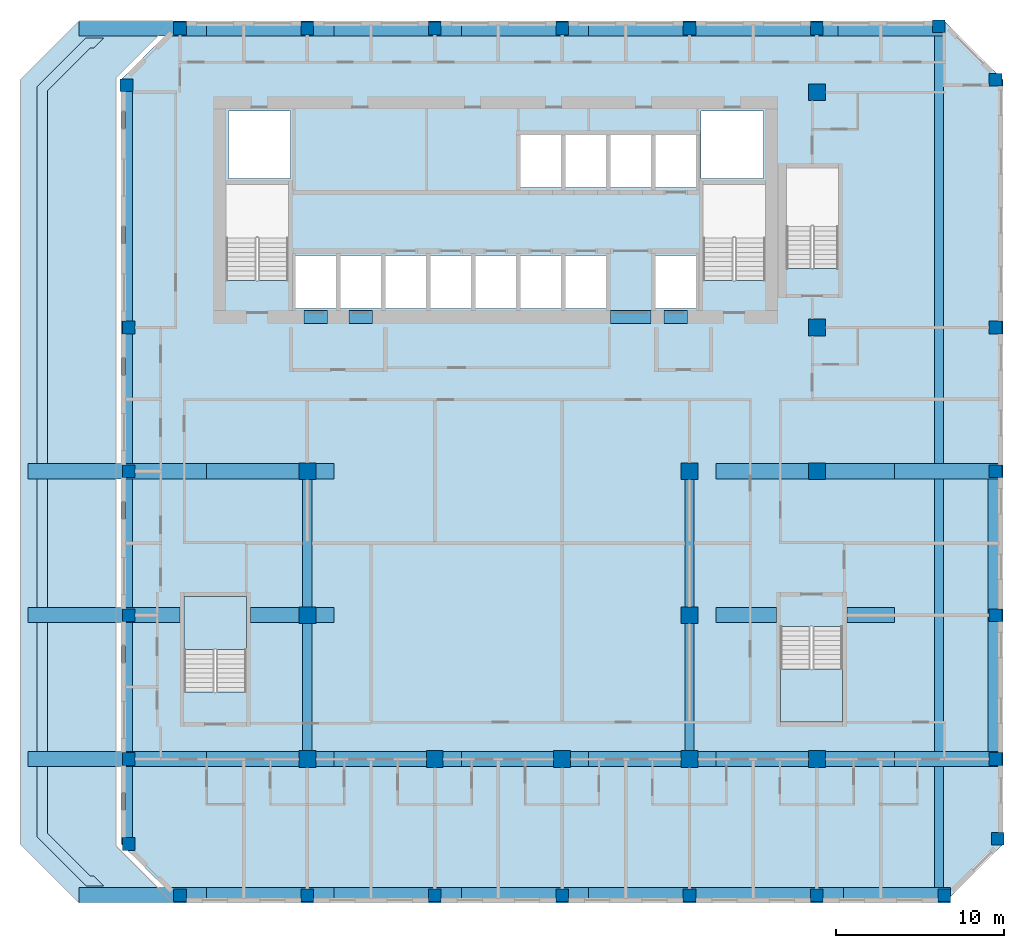
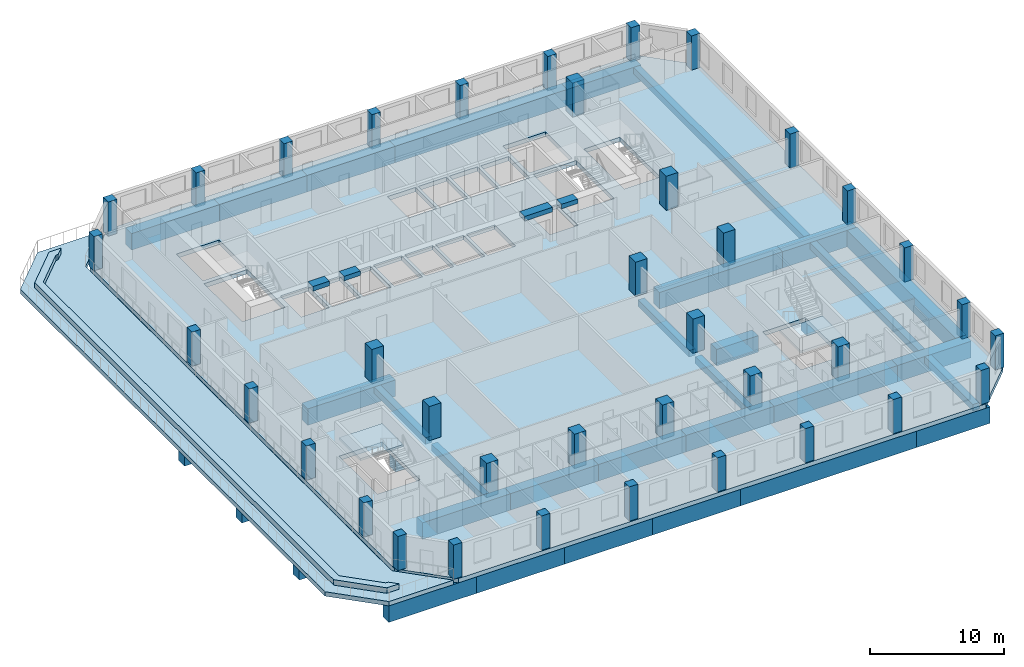
# One storey, part 1 of 16: 42 beams, 38 columns, 5 slabs, 2 elements without a shape of their own.
"""IFC4 building model written with IfcOpenShell, lengths in metres."""

from ifc_helpers import new_model, si_unit, direction, frame, origin, origin_2d, place, context, subcontext, project, spatial, polyline, rectangle, outline, extrude, source, transform, mapped, material, layer, layer_set, material_profile, profile_set, type_object, element, aggregate, save


model = new_model("IFC4")

# Units and contexts
model_context = context("Model", 3, precision=1e-05, world=origin(), true_north=direction((0.0, 1.0)))
body_context = subcontext(model_context, "Body", "Model", "MODEL_VIEW")
ifc_project = project(units=[si_unit("LENGTHUNIT", "METRE"), si_unit("AREAUNIT", "SQUARE_METRE"), si_unit("VOLUMEUNIT", "CUBIC_METRE"), si_unit("PLANEANGLEUNIT", "RADIAN"), si_unit("MASSUNIT", "GRAM", prefix="KILO")], contexts=[model_context])

# Site, building, storey
site_placement = place(None, origin())
site = spatial("IfcSite", under=ifc_project, at=site_placement, CompositionType="ELEMENT")
building_placement = place(site_placement, origin())
building = spatial("IfcBuilding", under=site, at=building_placement, Name="Kilnfold Tower and Market Hall", CompositionType="ELEMENT")
storey_placement = place(building_placement, frame((0.0, 0.0, 199.89990234375)))
storey = spatial("IfcBuildingStorey", under=building, at=storey_placement, Name="L48", CompositionType="ELEMENT", Elevation=199.89990234375)

# Columns
ifc_material_1 = material(Name="Concrete C70", Category="concrete")
ifc_material_profile_1 = material_profile(ifc_material_1, rectangle(XDim=0.75, YDim=0.75, at=origin_2d()), Name="RC 750x750")
ifc_profile_set_1 = profile_set([ifc_material_profile_1], Name="Concrete C70")
column_type_1 = type_object("IfcColumnType", Name="COLUMN 750X750 C70", PredefinedType="COLUMN", material=ifc_profile_set_1)
shared_shape_1 = source(origin(), body_context, "Body", "SweptSolid", [
    extrude(rectangle(XDim=0.75, YDim=0.75, at=origin_2d()), origin(), (0.0, 0.0, 1.0), 3.1201171875),
])
for number, where, z_axis, x_axis, name in (
    (1, (-20.931884765625, 22.431884765625, 0.0), (0.0, 0.0, 1.0), (1.0, 0.0, 0.0), "Column C-B6-1H"),
    (2, (-20.800048828125, -22.75, 0.0), (0.0, 0.0, 1.0), (1.0, 0.0, 0.0), "Column C-B6-1B"),
    (3, (-20.800048828125, -17.6875, 0.0), (0.0, 0.0, 1.0), (1.0, 0.0, 0.0), "Column C-B6-1C"),
    (4, (-20.800048828125, -9.125, 0.0), (0.0, 0.0, 1.0), (1.0, 0.0, 0.0), "Column C-B6-1D"),
    (5, (-20.800048828125, -0.5625, 0.0), (0.0, 0.0, 1.0), (1.0, 0.0, 0.0), "Column C-B6-1E"),
    (6, (-20.800048828125, 8.0, 0.0), (0.0, 0.0, 1.0), (1.0, 0.0, 0.0), "Column C-B6-1F"),
    (7, (-17.75, -25.800048828125, 0.0), (0.0, 0.0, 1.0), (1.0, 0.0, 0.0), "Column C-B6-2A"),
    (8, (-17.75, 25.800048828125, 0.0), (0.0, 0.0, 1.0), (1.0, 0.0, 0.0), "Column C-B6-2I"),
    (9, (-10.166748046875, -25.800048828125, 0.0), (0.0, 0.0, 1.0), (1.0, 0.0, 0.0), "Column C-B6-3A"),
    (10, (-10.166748046875, 25.800048828125, 0.0), (0.0, 0.0, 1.0), (1.0, 0.0, 0.0), "Column C-B6-3I"),
    (11, (-2.583251953125, -25.800048828125, 0.0), (0.0, 0.0, 1.0), (1.0, 0.0, 0.0), "Column C-B6-4A"),
    (12, (-2.583251953125, 25.800048828125, 0.0), (0.0, 0.0, 1.0), (1.0, 0.0, 0.0), "Column C-B6-4I"),
    (13, (5.0, -25.800048828125, 0.0), (0.0, 0.0, 1.0), (1.0, 0.0, 0.0), "Column C-B6-5A"),
    (14, (5.0, 25.800048828125, 0.0), (0.0, 0.0, 1.0), (1.0, 0.0, 0.0), "Column C-B6-5I"),
    (15, (12.583251953125, -25.800048828125, 0.0), (0.0, 0.0, 1.0), (1.0, 0.0, 0.0), "Column C-B6-6A"),
    (16, (12.583251953125, 25.800048828125, 0.0), (0.0, 0.0, 1.0), (1.0, 0.0, 0.0), "Column C-B6-6I"),
    (17, (20.166748046875, -25.800048828125, 0.0), (0.0, 0.0, 1.0), (1.0, 0.0, 0.0), "Column C-B6-7A"),
    (18, (20.166748046875, 25.800048828125, 0.0), (0.0, 0.0, 1.0), (1.0, 0.0, 0.0), "Column C-B6-7I"),
    (19, (27.431884765625, 25.931884765625, 0.0), (0.0, 0.0, 1.0), (1.0, 0.0, 0.0), "Column C-B6-8I"),
    (20, (27.75, -25.800048828125, 0.0), (0.0, 0.0, 1.0), (1.0, 0.0, 0.0), "Column C-B6-8A"),
    (21, (30.800048828125, -17.6875, 0.0), (0.0, 0.0, 1.0), (1.0, 0.0, 0.0), "Column C-B6-9C"),
    (22, (30.800048828125, -9.125, 0.0), (0.0, 0.0, 1.0), (1.0, 0.0, 0.0), "Column C-B6-9D"),
    (23, (30.800048828125, -0.5625, 0.0), (0.0, 0.0, 1.0), (1.0, 0.0, 0.0), "Column C-B6-9E"),
    (24, (30.800048828125, 8.0, 0.0), (0.0, 0.0, 1.0), (1.0, 0.0, 0.0), "Column C-B6-9F"),
    (25, (30.800048828125, 22.75, 0.0), (0.0, 0.0, 1.0), (1.0, 0.0, 0.0), "Column C-B6-9H"),
    (26, (30.931884765625, -22.431884765625, 0.0), (0.0, 0.0, 1.0), (1.0, 0.0, 0.0), "Column C-B6-9B"),
):
    element("IfcColumn", number, at=place(storey_placement, frame(where, z_axis=z_axis, x_axis=x_axis)), inside=storey, type_object=column_type_1, Name=name, PredefinedType="COLUMN", context=body_context, shape_type="MappedRepresentation", body=[
        mapped(shared_shape_1, transform((0.0, 0.0, 0.0))),
    ])
ifc_material_2 = material(Name="Concrete C70", Category="concrete")
ifc_material_profile_2 = material_profile(ifc_material_2, rectangle(XDim=1.0, YDim=1.0, at=origin_2d()), Name="RC 1000x1000")
ifc_profile_set_2 = profile_set([ifc_material_profile_2], Name="Concrete C70")
column_type_2 = type_object("IfcColumnType", Name="COLUMN 1000X1000 C70", PredefinedType="COLUMN", material=ifc_profile_set_2)
shared_shape_2 = source(origin(), body_context, "Body", "SweptSolid", [
    extrude(rectangle(XDim=1.0, YDim=1.0, at=origin_2d()), origin(), (0.0, 0.0, 1.0), 3.1201171875),
])
for number, where, z_axis, x_axis, name in (
    (27, (-10.166748046875, -17.6875, 0.0), (0.0, 0.0, 1.0), (1.0, 0.0, 0.0), "Column C-B6-3C"),
    (28, (-10.166748046875, -9.125, 0.0), (0.0, 0.0, 1.0), (1.0, 0.0, 0.0), "Column C-B6-3D"),
    (29, (-10.166748046875, -0.5625, 0.0), (0.0, 0.0, 1.0), (1.0, 0.0, 0.0), "Column C-B6-3E"),
    (30, (-2.583251953125, -17.6875, 0.0), (0.0, 0.0, 1.0), (1.0, 0.0, 0.0), "Column C-B6-4C"),
    (31, (5.0, -17.6875, 0.0), (0.0, 0.0, 1.0), (1.0, 0.0, 0.0), "Column C-B6-5C"),
    (32, (12.583251953125, -17.6875, 0.0), (0.0, 0.0, 1.0), (1.0, 0.0, 0.0), "Column C-B6-6C"),
    (33, (12.583251953125, -9.125, 0.0), (0.0, 0.0, 1.0), (1.0, 0.0, 0.0), "Column C-B6-6D"),
    (34, (12.583251953125, -0.5625, 0.0), (0.0, 0.0, 1.0), (1.0, 0.0, 0.0), "Column C-B6-6E"),
    (35, (20.166748046875, -17.6875, 0.0), (0.0, 0.0, 1.0), (1.0, 0.0, 0.0), "Column C-B6-7C"),
    (36, (20.166748046875, -0.5625, 0.0), (0.0, 0.0, 1.0), (1.0, 0.0, 0.0), "Column C-B6-7E"),
    (37, (20.166748046875, 8.0, 0.0), (0.0, 0.0, 1.0), (1.0, 0.0, 0.0), "Column C-B6-7F"),
    (38, (20.166748046875, 22.0, 0.0), (0.0, 0.0, 1.0), (1.0, 0.0, 0.0), "Column C-B6-7G"),
):
    element("IfcColumn", number, at=place(storey_placement, frame(where, z_axis=z_axis, x_axis=x_axis)), inside=storey, type_object=column_type_2, Name=name, PredefinedType="COLUMN", context=body_context, shape_type="MappedRepresentation", body=[
        mapped(shared_shape_2, transform((0.0, 0.0, 0.0))),
    ])

# Beams
ifc_material_3 = material(Name="Concrete C45", Category="concrete")
ifc_material_profile_3 = material_profile(ifc_material_3, rectangle(XDim=0.550048828125, YDim=0.60009765625, at=origin_2d()), Name="RC 550x600")
ifc_profile_set_3 = profile_set([ifc_material_profile_3], Name="Concrete C45")
beam_type_1 = type_object("IfcBeamType", Name="BEAM 550X600 C45", PredefinedType="BEAM", material=ifc_profile_set_3)
shared_shape_3 = source(origin(), body_context, "Body", "SweptSolid", [
    extrude(rectangle(XDim=0.550048828125, YDim=0.60009765625, at=origin_2d()), origin(), (0.0, 0.0, 1.0), 50.7001953125),
])
beam_1_placement = place(storey_placement, frame((27.429931640625, -25.35009765625, -0.699951171875), z_axis=(0.0, 1.0, 0.0), x_axis=(-1.0, 0.0, 0.0)))
element("IfcBeam", 39, at=beam_1_placement, inside=storey, type_object=beam_type_1, Name="Beam BB600-B6.38", PredefinedType="BEAM", context=body_context, shape_type="MappedRepresentation", body=[
    mapped(shared_shape_3, transform((0.0, 0.0, 0.0))),
])
ifc_material_4 = material(Name="Concrete C60", Category="concrete")
ifc_material_profile_4 = material_profile(ifc_material_4, rectangle(XDim=0.75, YDim=0.419921875, at=origin_2d()), Name="RC 750x420")
ifc_profile_set_4 = profile_set([ifc_material_profile_4], Name="Concrete C60")
beam_type_2 = type_object("IfcBeamType", Name="COUPLING BEAM 750X420 C60", PredefinedType="BEAM", material=ifc_profile_set_4)
shared_shape_4 = source(origin(), body_context, "Body", "SweptSolid", [
    extrude(rectangle(XDim=0.75, YDim=0.419921875, at=origin_2d()), origin(), (0.0, 0.0, 1.0), 1.400146484375),
])
beam_2_placement = place(storey_placement, frame((-10.3701171875, 8.625, 2.91015625), z_axis=(1.0, 0.0, 0.0), x_axis=(0.0, 1.0, 0.0)))
element("IfcBeam", 40, at=beam_2_placement, inside=storey, type_object=beam_type_2, Name="Coupling beam CB420-60-CORE.37", PredefinedType="BEAM", context=body_context, shape_type="MappedRepresentation", body=[
    mapped(shared_shape_4, transform((0.0, 0.0, 0.0))),
])
shared_shape_5 = source(origin(), body_context, "Body", "SweptSolid", [
    extrude(rectangle(XDim=0.75, YDim=0.419921875, at=origin_2d()), origin(), (0.0, 0.0, 1.0), 1.39990234375),
])
for number, where, z_axis, x_axis, name in (
    (41, (-7.68994140625, 8.625, 2.91015625), (1.0, 0.0, 0.0), (0.0, 1.0, 0.0), "Coupling beam CB420-60-CORE.38"),
    (42, (11.070068359375, 8.625, 2.91015625), (1.0, 0.0, 0.0), (0.0, 1.0, 0.0), "Coupling beam CB420-60-CORE.40"),
):
    element("IfcBeam", number, at=place(storey_placement, frame(where, z_axis=z_axis, x_axis=x_axis)), inside=storey, type_object=beam_type_2, Name=name, PredefinedType="BEAM", context=body_context, shape_type="MappedRepresentation", body=[
        mapped(shared_shape_5, transform((0.0, 0.0, 0.0))),
    ])
shared_shape_6 = source(origin(), body_context, "Body", "SweptSolid", [
    extrude(rectangle(XDim=0.75, YDim=0.419921875, at=origin_2d()), origin(), (0.0, 0.0, 1.0), 2.400146484375),
])
beam_3_placement = place(storey_placement, frame((7.889892578125, 8.625, 2.91015625), z_axis=(1.0, 0.0, 0.0), x_axis=(0.0, 1.0, 0.0)))
element("IfcBeam", 43, at=beam_3_placement, inside=storey, type_object=beam_type_2, Name="Coupling beam CB420-60-CORE.39", PredefinedType="BEAM", context=body_context, shape_type="MappedRepresentation", body=[
    mapped(shared_shape_6, transform((0.0, 0.0, 0.0))),
])
ifc_material_5 = material(Name="Concrete C60", Category="concrete")
ifc_material_profile_5 = material_profile(ifc_material_5, rectangle(XDim=0.89990234375, YDim=1.5, at=origin_2d()), Name="RC 900x1500")
ifc_profile_set_5 = profile_set([ifc_material_profile_5], Name="Concrete C60")
beam_type_3 = type_object("IfcBeamType", Name="TRANSFER GIRDER 900X1500 C60", PredefinedType="BEAM", material=ifc_profile_set_5)
shared_shape_7 = source(origin(), body_context, "Body", "SweptSolid", [
    extrude(rectangle(XDim=0.89990234375, YDim=1.5, at=origin_2d()), origin(), (0.0, 0.0, 1.0), 10.63330078125),
])
for number, where, z_axis, x_axis, name in (
    (44, (-26.800048828125, -17.68994140625, -1.14990234375), (1.0, 0.0, 0.0), (0.0, 1.0, 0.0), "Beam TG1500-B6.1"),
    (45, (-26.800048828125, -0.56005859375, -1.14990234375), (1.0, 0.0, 0.0), (0.0, 1.0, 0.0), "Beam TG1500-B6.3"),
    (46, (14.166748046875, -17.68994140625, -1.14990234375), (1.0, 0.0, 0.0), (0.0, 1.0, 0.0), "Beam TG1500-B6.20"),
    (47, (14.166748046875, -0.56005859375, -1.14990234375), (1.0, 0.0, 0.0), (0.0, 1.0, 0.0), "Beam TG1500-B6.22"),
):
    element("IfcBeam", number, at=place(storey_placement, frame(where, z_axis=z_axis, x_axis=x_axis)), inside=storey, type_object=beam_type_3, Name=name, PredefinedType="BEAM", context=body_context, shape_type="MappedRepresentation", body=[
        mapped(shared_shape_7, transform((0.0, 0.0, 0.0))),
    ])
shared_shape_8 = source(origin(), body_context, "Body", "SweptSolid", [
    extrude(rectangle(XDim=0.89990234375, YDim=1.5, at=origin_2d()), origin(), (0.0, 0.0, 1.0), 9.050048828125),
])
beam_4_placement = place(storey_placement, frame((-26.800048828125, -9.1201171875, -1.14990234375), z_axis=(1.0, 0.0, 0.0), x_axis=(0.0, 1.0, 0.0)))
element("IfcBeam", 48, at=beam_4_placement, inside=storey, type_object=beam_type_3, Name="Beam TG1500-B6.2", PredefinedType="BEAM", context=body_context, shape_type="MappedRepresentation", body=[
    mapped(shared_shape_8, transform((0.0, 0.0, 0.0))),
])
shared_shape_9 = source(origin(), body_context, "Body", "SweptSolid", [
    extrude(rectangle(XDim=0.89990234375, YDim=1.5, at=origin_2d()), origin(), (0.0, 0.0, 1.0), 7.583251953125),
])
for number, where, z_axis, x_axis, name in (
    (49, (-23.75, -25.800048828125, -1.14990234375), (1.0, 0.0, 0.0), (0.0, 1.0, 0.0), "Beam TG1500-B6.4"),
    (50, (-23.75, 25.800048828125, -1.14990234375), (1.0, 0.0, 0.0), (0.0, 1.0, 0.0), "Beam TG1500-B6.5"),
    (51, (-8.583251953125, -25.800048828125, -1.14990234375), (1.0, 0.0, 0.0), (0.0, 1.0, 0.0), "Beam TG1500-B6.11"),
    (52, (-8.583251953125, -17.68994140625, -1.14990234375), (1.0, 0.0, 0.0), (0.0, 1.0, 0.0), "Beam TG1500-B6.12"),
    (53, (-8.583251953125, 25.800048828125, -1.14990234375), (1.0, 0.0, 0.0), (0.0, 1.0, 0.0), "Beam TG1500-B6.13"),
    (54, (-1.0, -25.800048828125, -1.14990234375), (1.0, 0.0, 0.0), (0.0, 1.0, 0.0), "Beam TG1500-B6.14"),
    (55, (-1.0, -17.68994140625, -1.14990234375), (1.0, 0.0, 0.0), (0.0, 1.0, 0.0), "Beam TG1500-B6.15"),
    (56, (-1.0, 25.800048828125, -1.14990234375), (1.0, 0.0, 0.0), (0.0, 1.0, 0.0), "Beam TG1500-B6.16"),
):
    element("IfcBeam", number, at=place(storey_placement, frame(where, z_axis=z_axis, x_axis=x_axis)), inside=storey, type_object=beam_type_3, Name=name, PredefinedType="BEAM", context=body_context, shape_type="MappedRepresentation", body=[
        mapped(shared_shape_9, transform((0.0, 0.0, 0.0))),
    ])
shared_shape_10 = source(origin(), body_context, "Body", "SweptSolid", [
    extrude(rectangle(XDim=0.89990234375, YDim=1.5, at=origin_2d()), origin(), (0.0, 0.0, 1.0), 7.58349609375),
])
for number, where, z_axis, x_axis, name in (
    (57, (-16.166748046875, -25.800048828125, -1.14990234375), (1.0, 0.0, 0.0), (0.0, 1.0, 0.0), "Beam TG1500-B6.6"),
    (58, (-16.166748046875, -17.68994140625, -1.14990234375), (1.0, 0.0, 0.0), (0.0, 1.0, 0.0), "Beam TG1500-B6.7"),
    (59, (-16.166748046875, -0.56005859375, -1.14990234375), (1.0, 0.0, 0.0), (0.0, 1.0, 0.0), "Beam TG1500-B6.8"),
    (60, (-16.166748046875, 25.800048828125, -1.14990234375), (1.0, 0.0, 0.0), (0.0, 1.0, 0.0), "Beam TG1500-B6.9"),
    (61, (6.583251953125, -17.68994140625, -1.14990234375), (1.0, 0.0, 0.0), (0.0, 1.0, 0.0), "Beam TG1500-B6.18"),
):
    element("IfcBeam", number, at=place(storey_placement, frame(where, z_axis=z_axis, x_axis=x_axis)), inside=storey, type_object=beam_type_3, Name=name, PredefinedType="BEAM", context=body_context, shape_type="MappedRepresentation", body=[
        mapped(shared_shape_10, transform((0.0, 0.0, 0.0))),
    ])
shared_shape_11 = source(origin(), body_context, "Body", "SweptSolid", [
    extrude(rectangle(XDim=0.89990234375, YDim=1.5, at=origin_2d()), origin(), (0.0, 0.0, 1.0), 4.966796875),
])
beam_5_placement = place(storey_placement, frame((-13.550048828125, -9.1201171875, -1.14990234375), z_axis=(1.0, 0.0, 0.0), x_axis=(0.0, 1.0, 0.0)))
element("IfcBeam", 62, at=beam_5_placement, inside=storey, type_object=beam_type_3, Name="Beam TG1500-B6.10", PredefinedType="BEAM", context=body_context, shape_type="MappedRepresentation", body=[
    mapped(shared_shape_11, transform((0.0, 0.0, 0.0))),
])
shared_shape_12 = source(origin(), body_context, "Body", "SweptSolid", [
    extrude(rectangle(XDim=0.89990234375, YDim=1.5, at=origin_2d()), origin(), (0.0, 0.0, 1.0), 15.166748046875),
])
beam_6_placement = place(storey_placement, frame((6.583251953125, -25.800048828125, -1.14990234375), z_axis=(1.0, 0.0, 0.0), x_axis=(0.0, 1.0, 0.0)))
element("IfcBeam", 63, at=beam_6_placement, inside=storey, type_object=beam_type_3, Name="Beam TG1500-B6.17", PredefinedType="BEAM", context=body_context, shape_type="MappedRepresentation", body=[
    mapped(shared_shape_12, transform((0.0, 0.0, 0.0))),
])
shared_shape_13 = source(origin(), body_context, "Body", "SweptSolid", [
    extrude(rectangle(XDim=0.89990234375, YDim=1.5, at=origin_2d()), origin(), (0.0, 0.0, 1.0), 14.8486328125),
])
beam_7_placement = place(storey_placement, frame((6.583251953125, 25.800048828125, -1.14990234375), z_axis=(1.0, 0.0, 0.0), x_axis=(0.0, 1.0, 0.0)))
element("IfcBeam", 64, at=beam_7_placement, inside=storey, type_object=beam_type_3, Name="Beam TG1500-B6.19", PredefinedType="BEAM", context=body_context, shape_type="MappedRepresentation", body=[
    mapped(shared_shape_13, transform((0.0, 0.0, 0.0))),
])
shared_shape_14 = source(origin(), body_context, "Body", "SweptSolid", [
    extrude(rectangle(XDim=0.89990234375, YDim=1.5, at=origin_2d()), origin(), (0.0, 0.0, 1.0), 3.583251953125),
])
beam_8_placement = place(storey_placement, frame((14.166748046875, -9.1201171875, -1.14990234375), z_axis=(1.0, 0.0, 0.0), x_axis=(0.0, 1.0, 0.0)))
element("IfcBeam", 65, at=beam_8_placement, inside=storey, type_object=beam_type_3, Name="Beam TG1500-B6.21", PredefinedType="BEAM", context=body_context, shape_type="MappedRepresentation", body=[
    mapped(shared_shape_14, transform((0.0, 0.0, 0.0))),
])
shared_shape_15 = source(origin(), body_context, "Body", "SweptSolid", [
    extrude(rectangle(XDim=0.89990234375, YDim=1.5, at=origin_2d()), origin(), (0.0, 0.0, 1.0), 6.375),
])
for number, where, z_axis, x_axis, name in (
    (66, (21.431884765625, 25.800048828125, -1.14990234375), (1.0, 0.0, 0.0), (0.0, 1.0, 0.0), "Beam TG1500-B6.23"),
    (67, (21.75, -25.800048828125, -1.14990234375), (1.0, 0.0, 0.0), (0.0, 1.0, 0.0), "Beam TG1500-B6.24"),
    (68, (24.800048828125, -17.68994140625, -1.14990234375), (1.0, 0.0, 0.0), (0.0, 1.0, 0.0), "Beam TG1500-B6.26"),
    (69, (24.800048828125, -0.56005859375, -1.14990234375), (1.0, 0.0, 0.0), (0.0, 1.0, 0.0), "Beam TG1500-B6.27"),
):
    element("IfcBeam", number, at=place(storey_placement, frame(where, z_axis=z_axis, x_axis=x_axis)), inside=storey, type_object=beam_type_3, Name=name, PredefinedType="BEAM", context=body_context, shape_type="MappedRepresentation", body=[
        mapped(shared_shape_15, transform((0.0, 0.0, 0.0))),
    ])
shared_shape_16 = source(origin(), body_context, "Body", "SweptSolid", [
    extrude(rectangle(XDim=0.89990234375, YDim=1.5, at=origin_2d()), origin(), (0.0, 0.0, 1.0), 2.85009765625),
])
beam_9_placement = place(storey_placement, frame((21.949951171875, -9.1201171875, -1.14990234375), z_axis=(1.0, 0.0, 0.0), x_axis=(0.0, 1.0, 0.0)))
element("IfcBeam", 70, at=beam_9_placement, inside=storey, type_object=beam_type_3, Name="Beam TG1500-B6.25", PredefinedType="BEAM", context=body_context, shape_type="MappedRepresentation", body=[
    mapped(shared_shape_16, transform((0.0, 0.0, 0.0))),
])
shared_shape_17 = source(origin(), body_context, "Body", "SweptSolid", [
    extrude(rectangle(XDim=0.89990234375, YDim=1.5, at=origin_2d()), origin(), (0.0, 0.0, 1.0), 16.22998046875),
])
beam_10_placement = place(storey_placement, frame((30.800048828125, -17.239990234375, -1.14990234375), z_axis=(0.0, 1.0, 0.0), x_axis=(-1.0, 0.0, 0.0)))
element("IfcBeam", 71, at=beam_10_placement, inside=storey, type_object=beam_type_3, Name="Beam TG1500-B6.28", PredefinedType="BEAM", context=body_context, shape_type="MappedRepresentation", body=[
    mapped(shared_shape_17, transform((0.0, 0.0, 0.0))),
])
ifc_material_6 = material(Name="Concrete C45", Category="concrete")
ifc_material_profile_6 = material_profile(ifc_material_6, rectangle(XDim=0.449951171875, YDim=0.60009765625, at=origin_2d()), Name="RC 450x600")
ifc_profile_set_6 = profile_set([ifc_material_profile_6], Name="Concrete C45")
beam_type_4 = type_object("IfcBeamType", Name="EDGE BEAM 450X600 C45", PredefinedType="BEAM", material=ifc_profile_set_6)
shared_shape_18 = source(origin(), body_context, "Body", "SweptSolid", [
    extrude(rectangle(XDim=0.449951171875, YDim=0.60009765625, at=origin_2d()), origin(), (0.0, 0.0, 1.0), 4.235107421875),
])
beam_11_placement = place(storey_placement, frame((-20.800048828125, -22.375, -0.699951171875), z_axis=(0.0, 1.0, 0.0), x_axis=(-1.0, 0.0, 0.0)))
element("IfcBeam", 72, at=beam_11_placement, inside=storey, type_object=beam_type_4, Name="Beam EB600-B6.29", PredefinedType="BEAM", context=body_context, shape_type="MappedRepresentation", body=[
    mapped(shared_shape_18, transform((0.0, 0.0, 0.0))),
])
shared_shape_19 = source(origin(), body_context, "Body", "SweptSolid", [
    extrude(rectangle(XDim=0.449951171875, YDim=0.60009765625, at=origin_2d()), origin(), (0.0, 0.0, 1.0), 7.669921875),
])
beam_12_placement = place(storey_placement, frame((-20.800048828125, -17.239990234375, -0.699951171875), z_axis=(0.0, 1.0, 0.0), x_axis=(-1.0, 0.0, 0.0)))
element("IfcBeam", 73, at=beam_12_placement, inside=storey, type_object=beam_type_4, Name="Beam EB600-B6.30", PredefinedType="BEAM", context=body_context, shape_type="MappedRepresentation", body=[
    mapped(shared_shape_19, transform((0.0, 0.0, 0.0))),
])
shared_shape_20 = source(origin(), body_context, "Body", "SweptSolid", [
    extrude(rectangle(XDim=0.449951171875, YDim=0.60009765625, at=origin_2d()), origin(), (0.0, 0.0, 1.0), 7.659912109375),
])
beam_13_placement = place(storey_placement, frame((-20.800048828125, -8.669921875, -0.699951171875), z_axis=(0.0, 1.0, 0.0), x_axis=(-1.0, 0.0, 0.0)))
element("IfcBeam", 74, at=beam_13_placement, inside=storey, type_object=beam_type_4, Name="Beam EB600-B6.31", PredefinedType="BEAM", context=body_context, shape_type="MappedRepresentation", body=[
    mapped(shared_shape_20, transform((0.0, 0.0, 0.0))),
])
shared_shape_21 = source(origin(), body_context, "Body", "SweptSolid", [
    extrude(rectangle(XDim=0.449951171875, YDim=0.60009765625, at=origin_2d()), origin(), (0.0, 0.0, 1.0), 7.735107421875),
])
beam_14_placement = place(storey_placement, frame((-20.800048828125, -0.110107421875, -0.699951171875), z_axis=(0.0, 1.0, 0.0), x_axis=(-1.0, 0.0, 0.0)))
element("IfcBeam", 75, at=beam_14_placement, inside=storey, type_object=beam_type_4, Name="Beam EB600-B6.32", PredefinedType="BEAM", context=body_context, shape_type="MappedRepresentation", body=[
    mapped(shared_shape_21, transform((0.0, 0.0, 0.0))),
])
shared_shape_22 = source(origin(), body_context, "Body", "SweptSolid", [
    extrude(rectangle(XDim=0.449951171875, YDim=0.60009765625, at=origin_2d()), origin(), (0.0, 0.0, 1.0), 13.681884765625),
])
beam_15_placement = place(storey_placement, frame((-20.800048828125, 8.375, -0.699951171875), z_axis=(0.0, 1.0, 0.0), x_axis=(-1.0, 0.0, 0.0)))
element("IfcBeam", 76, at=beam_15_placement, inside=storey, type_object=beam_type_4, Name="Beam EB600-B6.33", PredefinedType="BEAM", context=body_context, shape_type="MappedRepresentation", body=[
    mapped(shared_shape_22, transform((0.0, 0.0, 0.0))),
])
shared_shape_23 = source(origin(), body_context, "Body", "SweptSolid", [
    extrude(rectangle(XDim=0.550048828125, YDim=0.60009765625, at=origin_2d()), origin(), (0.0, 0.0, 1.0), 7.669921875),
])
for number, where, z_axis, x_axis, name in (
    (77, (-10.169921875, -17.239990234375, -0.699951171875), (0.0, 1.0, 0.0), (-1.0, 0.0, 0.0), "Beam BB600-B6.34"),
    (78, (12.580078125, -17.239990234375, -0.699951171875), (0.0, 1.0, 0.0), (-1.0, 0.0, 0.0), "Beam BB600-B6.36"),
):
    element("IfcBeam", number, at=place(storey_placement, frame(where, z_axis=z_axis, x_axis=x_axis)), inside=storey, type_object=beam_type_1, Name=name, PredefinedType="BEAM", context=body_context, shape_type="MappedRepresentation", body=[
        mapped(shared_shape_23, transform((0.0, 0.0, 0.0))),
    ])
shared_shape_24 = source(origin(), body_context, "Body", "SweptSolid", [
    extrude(rectangle(XDim=0.550048828125, YDim=0.60009765625, at=origin_2d()), origin(), (0.0, 0.0, 1.0), 7.659912109375),
])
for number, where, z_axis, x_axis, name in (
    (79, (-10.169921875, -8.669921875, -0.699951171875), (0.0, 1.0, 0.0), (-1.0, 0.0, 0.0), "Beam BB600-B6.35"),
    (80, (12.580078125, -8.669921875, -0.699951171875), (0.0, 1.0, 0.0), (-1.0, 0.0, 0.0), "Beam BB600-B6.37"),
):
    element("IfcBeam", number, at=place(storey_placement, frame(where, z_axis=z_axis, x_axis=x_axis)), inside=storey, type_object=beam_type_1, Name=name, PredefinedType="BEAM", context=body_context, shape_type="MappedRepresentation", body=[
        mapped(shared_shape_24, transform((0.0, 0.0, 0.0))),
    ])

# Slabs
ifc_material_7 = material(Name="Concrete C45", Category="concrete")
ifc_layer_1 = layer(ifc_material_7, 0.39990234375)
ifc_layer_set_1 = layer_set([ifc_layer_1], Name="Concrete C45")
slab_type_1 = type_object("IfcSlabType", Name="FLOOR SLAB 400", PredefinedType="FLOOR", material=ifc_layer_set_1)
shared_shape_25 = source(origin(), body_context, "Body", "SweptSolid", [
    extrude(outline(polyline([(-17.75, -26.25), (27.75, -26.25), (31.25, -22.75), (31.25, 22.75), (27.75, 26.25), (-17.75, 26.25), (-21.25, 22.75), (-21.25, -22.75), (-17.75, -26.25)]), holes=[polyline([(-13.800537109375, -13.699462890625), (-17.49951171875, -13.699462890625), (-17.49951171875, -8.00048828125), (-13.800537109375, -8.00048828125), (-13.800537109375, -13.699462890625)]), polyline([(-14.99951171875, 10.800537109375), (-14.99951171875, 16.49951171875), (-11.300537109375, 16.49951171875), (-11.300537109375, 10.800537109375), (-14.99951171875, 10.800537109375)]), polyline([(-11.175048828125, 16.875), (-14.875, 16.875), (-14.875, 20.875), (-11.175048828125, 20.875), (-11.175048828125, 16.875)]), polyline([(-8.455078125, 9.125), (-10.885009765625, 9.125), (-10.885009765625, 12.27490234375), (-8.455078125, 12.27490234375), (-8.455078125, 9.125)]), polyline([(-5.77490234375, 9.125), (-8.205078125, 9.125), (-8.205078125, 12.27490234375), (-5.77490234375, 12.27490234375), (-5.77490234375, 9.125)]), polyline([(-3.094970703125, 9.125), (-5.52490234375, 9.125), (-5.52490234375, 12.27490234375), (-3.094970703125, 12.27490234375), (-3.094970703125, 9.125)]), polyline([(-0.4150390625, 9.125), (-2.844970703125, 9.125), (-2.844970703125, 12.27490234375), (-0.4150390625, 12.27490234375), (-0.4150390625, 9.125)]), polyline([(2.264892578125, 9.125), (-0.1650390625, 9.125), (-0.1650390625, 12.27490234375), (2.264892578125, 12.27490234375), (2.264892578125, 9.125)]), polyline([(4.945068359375, 9.125), (2.514892578125, 9.125), (2.514892578125, 12.27490234375), (4.945068359375, 12.27490234375), (4.945068359375, 9.125)]), polyline([(2.514892578125, 16.324951171875), (2.514892578125, 19.47509765625), (4.945068359375, 19.47509765625), (4.945068359375, 16.324951171875), (2.514892578125, 16.324951171875)]), polyline([(7.625, 9.125), (5.195068359375, 9.125), (5.195068359375, 12.27490234375), (7.625, 12.27490234375), (7.625, 9.125)]), polyline([(7.625, 16.324951171875), (5.195068359375, 16.324951171875), (5.195068359375, 19.47509765625), (7.625, 19.47509765625), (7.625, 16.324951171875)]), polyline([(10.304931640625, 16.324951171875), (7.875, 16.324951171875), (7.875, 19.47509765625), (10.304931640625, 19.47509765625), (10.304931640625, 16.324951171875)]), polyline([(10.554931640625, 9.125), (10.554931640625, 12.27490234375), (12.985107421875, 12.27490234375), (12.985107421875, 9.125), (10.554931640625, 9.125)]), polyline([(10.554931640625, 16.324951171875), (10.554931640625, 19.47509765625), (12.985107421875, 19.47509765625), (12.985107421875, 16.324951171875), (10.554931640625, 16.324951171875)]), polyline([(13.27490234375, 16.875), (13.27490234375, 20.875), (16.97509765625, 20.875), (16.97509765625, 16.875), (13.27490234375, 16.875)]), polyline([(13.400390625, 10.800537109375), (13.400390625, 16.49951171875), (17.099609375, 16.49951171875), (17.099609375, 10.800537109375), (13.400390625, 10.800537109375)]), polyline([(18.00048828125, -9.800537109375), (21.699462890625, -9.800537109375), (21.699462890625, -15.49951171875), (18.00048828125, -15.49951171875), (18.00048828125, -9.800537109375)]), polyline([(21.449462890625, 11.50048828125), (18.3505859375, 11.50048828125), (18.3505859375, 17.49951171875), (21.449462890625, 17.49951171875), (21.449462890625, 11.50048828125)])]), origin(), (0.0, 0.0, 1.0), 0.400146484375),
])
slab_1_placement = place(storey_placement, frame((0.0, 0.0, -0.400146484375)))
element("IfcSlab", 81, at=slab_1_placement, inside=storey, type_object=slab_type_1, Name="Floor slab L48", PredefinedType="FLOOR", context=body_context, shape_type="MappedRepresentation", body=[
    mapped(shared_shape_25, transform((0.0, 0.0, 0.0))),
])
ifc_material_8 = material(Name="Concrete C40/50", Category="concrete")
ifc_layer_2 = layer(ifc_material_8, 0.39990234375)
ifc_layer_set_2 = layer_set([ifc_layer_2], Name="Concrete C40/50")
slab_type_2 = type_object("IfcSlabType", Name="TOWER TERRACE SLAB 400", PredefinedType="ROOF", material=ifc_layer_set_2)
shared_shape_26 = source(origin(), body_context, "Body", "SweptSolid", [
    extrude(outline(polyline([(-23.75, -26.25), (-27.25, -22.75), (-27.25, 22.75), (-23.75, 26.25), (-18.17431640625, 26.25), (-21.550048828125, 22.874267578125), (-21.550048828125, -22.874267578125), (-18.17431640625, -26.25), (-23.75, -26.25)])), origin(), (0.0, 0.0, 1.0), 0.39990234375),
])
slab_2_placement = place(storey_placement, frame((0.0, 0.0, -0.39990234375)))
element("IfcSlab", 82, at=slab_2_placement, inside=storey, type_object=slab_type_2, Name="Terrace slab L48 1", PredefinedType="ROOF", context=body_context, shape_type="MappedRepresentation", body=[
    mapped(shared_shape_26, transform((0.0, 0.0, 0.0))),
])
ifc_material_9 = material(Name="Concrete C40/50", Category="concrete")
ifc_layer_3 = layer(ifc_material_9, 0.5)
ifc_layer_set_3 = layer_set([ifc_layer_3], Name="Concrete C40/50")
slab_type_3 = type_object("IfcSlabType", Name="PLANTER BED 500", PredefinedType="ROOF", material=ifc_layer_set_3)
shared_shape_27 = source(origin(), body_context, "Body", "SweptSolid", [
    extrude(outline(polyline([(-26.25, 22.335693359375), (-23.335693359375, 25.25), (-22.285400390625, 25.25), (-22.885498046875, 24.64990234375), (-23.08740234375, 24.64990234375), (-25.64990234375, 22.08740234375), (-25.64990234375, -22.08740234375), (-23.08740234375, -24.64990234375), (-22.885498046875, -24.64990234375), (-22.285400390625, -25.25), (-23.335693359375, -25.25), (-26.25, -22.335693359375), (-26.25, 22.335693359375)])), origin(), (0.0, 0.0, 1.0), 0.5),
])
slab_3_placement = place(storey_placement, origin())
element("IfcSlab", 83, at=slab_3_placement, inside=storey, type_object=slab_type_3, Name="Planter bed L48 1.1", PredefinedType="ROOF", context=body_context, shape_type="MappedRepresentation", body=[
    mapped(shared_shape_27, transform((0.0, 0.0, 0.0))),
])

# Stair, slab
ifc_material_10 = material(Name="Concrete C40/50", Category="concrete")
stair_type = type_object("IfcStairType", Name="CORE STAIR 1800", PredefinedType="HALF_TURN_STAIR", material=ifc_material_10)
stair_1_placement = place(storey_placement, origin())
stair_1 = element("IfcStair", 84, at=stair_1_placement, inside=storey, type_object=stair_type, Name="L48 ST3", PredefinedType="HALF_TURN_STAIR")
ifc_material_11 = material(Name="Concrete C40/50", Category="concrete")
ifc_layer_4 = layer(ifc_material_11, 0.199951171875)
ifc_layer_set_4 = layer_set([ifc_layer_4], Name="Concrete C40/50")
slab_type_4 = type_object("IfcSlabType", Name="CORE STAIR LANDING 200", PredefinedType="LANDING", material=ifc_layer_set_4)
shared_shape_28 = source(origin(), body_context, "Body", "SweptSolid", [
    extrude(outline(polyline([(-13.800048828125, -11.179931640625), (-13.800048828125, -8.0), (-17.5, -8.0), (-17.5, -11.179931640625), (-13.800048828125, -11.179931640625)])), origin(), (0.0, 0.0, 1.0), 0.2001953125),
])
slab_4_placement = place(storey_placement, frame((0.0, 0.0, 1.5)))
slab_4 = element("IfcSlab", 85, at=slab_4_placement, type_object=slab_type_4, Name="ST3 landing 1", PredefinedType="LANDING", context=body_context, shape_type="MappedRepresentation", body=[
    mapped(shared_shape_28, transform((0.0, 0.0, 0.0))),
])
aggregate(stair_1, [slab_4])

stair_2_placement = place(storey_placement, origin())
stair_2 = element("IfcStair", 86, at=stair_2_placement, inside=storey, type_object=stair_type, Name="L48 ST4", PredefinedType="HALF_TURN_STAIR")
shared_shape_29 = source(origin(), body_context, "Body", "SweptSolid", [
    extrude(outline(polyline([(18.0, -12.320068359375), (18.0, -15.5), (21.699951171875, -15.5), (21.699951171875, -12.320068359375), (18.0, -12.320068359375)])), origin(), (0.0, 0.0, 1.0), 0.2001953125),
])
slab_5_placement = place(storey_placement, frame((0.0, 0.0, 1.5)))
slab_5 = element("IfcSlab", 87, at=slab_5_placement, type_object=slab_type_4, Name="ST4 landing 1", PredefinedType="LANDING", context=body_context, shape_type="MappedRepresentation", body=[
    mapped(shared_shape_29, transform((0.0, 0.0, 0.0))),
])
aggregate(stair_2, [slab_5])

save(model, "model.ifc")
